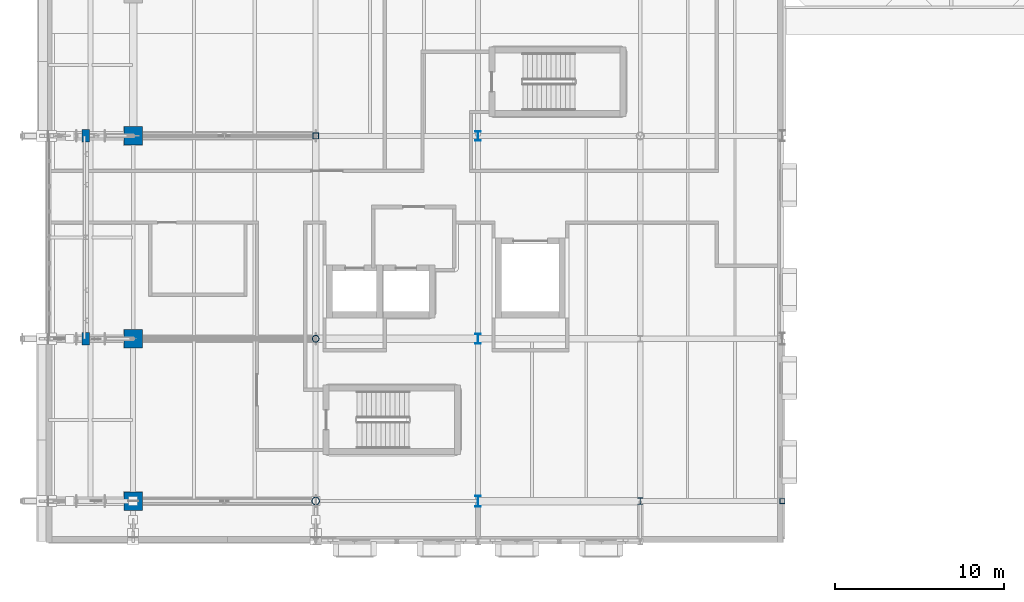
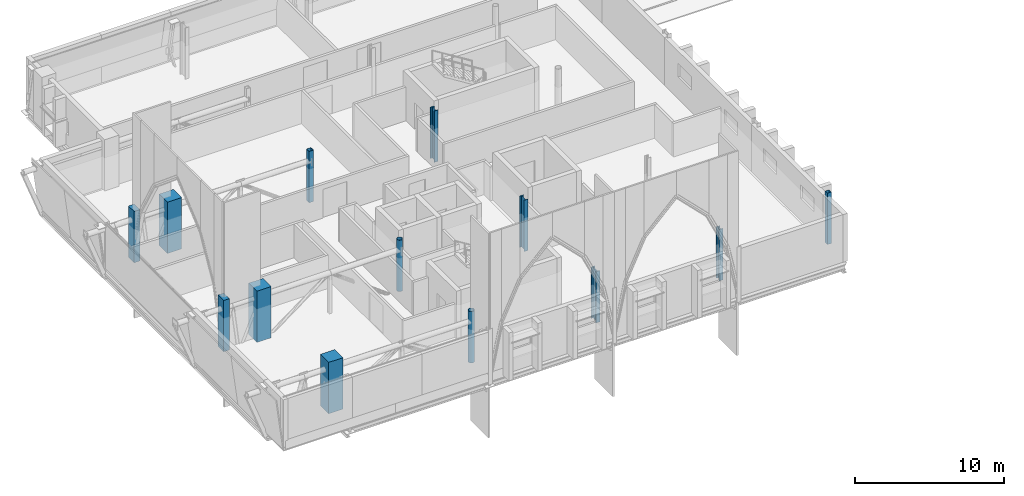
# One storey, part 1 of 90: 13 columns.
"""IFC4 building model written with IfcOpenShell, lengths in metres."""

from ifc_helpers import new_model, si_unit, direction, frame, origin, origin_2d, place, context, subcontext, project, spatial, rectangle, hollow_rectangle, hollow_circle, i_section, extrude, material, material_profile, profile_set, type_object, element, save


model = new_model("IFC4")

# Units and contexts
model_context = context("Model", 3, precision=1e-05, world=origin(), true_north=direction((0.0, 1.0)))
body_context = subcontext(model_context, "Body", "Model", "MODEL_VIEW")
ifc_project = project(units=[si_unit("LENGTHUNIT", "METRE"), si_unit("AREAUNIT", "SQUARE_METRE"), si_unit("VOLUMEUNIT", "CUBIC_METRE"), si_unit("PLANEANGLEUNIT", "RADIAN"), si_unit("MASSUNIT", "GRAM", prefix="KILO")], contexts=[model_context])

# Site, building, storey
site_placement = place(None, origin())
site = spatial("IfcSite", under=ifc_project, at=site_placement, CompositionType="ELEMENT")
building_placement = place(site_placement, origin())
building = spatial("IfcBuilding", under=site, at=building_placement, Name="Zereglee Splitstone Museum", CompositionType="ELEMENT")
storey_placement = place(building_placement, frame((0.0, 0.0, 4.800048828125)))
storey = spatial("IfcBuildingStorey", under=building, at=storey_placement, Name="L01", CompositionType="ELEMENT", Elevation=4.800048828125)

# Columns
ifc_material_1 = material(Name="Concrete C45/55", Category="concrete")
ifc_material_profile_1 = material_profile(ifc_material_1, rectangle(XDim=1.10009765625, YDim=1.10009765625, at=origin_2d()), Name="RC 1100x1100")
ifc_profile_set_1 = profile_set([ifc_material_profile_1], Name="Concrete C45/55")
column_type_1 = type_object("IfcColumnType", Name="C-01", PredefinedType="COLUMN", material=ifc_profile_set_1)
for number, where, z_axis, x_axis, name in (
    (1, (9.60009765625, 0.0, 0.0), (0.0, 0.0, 1.0), (1.0, 0.0, 0.0), "Column 2/A L01"),
    (2, (9.60009765625, 9.60009765625, 0.0), (0.0, 0.0, 1.0), (1.0, 0.0, 0.0), "Column 2/B L01"),
    (3, (9.60009765625, 21.60009765625, 0.0), (0.0, 0.0, 1.0), (1.0, 0.0, 0.0), "Column 2/C L01"),
):
    element("IfcColumn", number, at=place(storey_placement, frame(where, z_axis=z_axis, x_axis=x_axis)), inside=storey, type_object=column_type_1, Name=name, PredefinedType="COLUMN", context=body_context, shape_type="SweptSolid", body=[
        extrude(rectangle(XDim=1.10009765625, YDim=1.10009765625, at=origin_2d()), origin(), (0.0, 0.0, 1.0), 4.199951171875),
    ])
ifc_material_2 = material(Name="Steel S355J2H", Category="steel")
ifc_material_profile_2 = material_profile(ifc_material_2, hollow_circle(Radius=0.203125, WallThickness=0.02001953125, at=origin_2d()), Name="CHS 406.4x20")
ifc_profile_set_2 = profile_set([ifc_material_profile_2], Name="Steel S355J2H")
column_type_2 = type_object("IfcColumnType", Name="C-18", PredefinedType="COLUMN", material=ifc_profile_set_2)
column_1_placement = place(storey_placement, frame((20.39990234375, 9.60009765625, 0.0), z_axis=(0.0, 0.0, 1.0), x_axis=(1.0, 0.0, 0.0)))
element("IfcColumn", 4, at=column_1_placement, inside=storey, type_object=column_type_2, Name="Column 4/B L01", PredefinedType="COLUMN", context=body_context, shape_type="SweptSolid", body=[
    extrude(hollow_circle(Radius=0.203125, WallThickness=0.02001953125, at=origin_2d()), origin(), (0.0, 0.0, 1.0), 4.199951171875),
])
ifc_material_profile_3 = material_profile(ifc_material_2, hollow_circle(Radius=0.228515625, WallThickness=0.02001953125, at=origin_2d()), Name="CHS 457.0x20")
ifc_profile_set_3 = profile_set([ifc_material_profile_3], Name="Steel S355J2H")
column_type_3 = type_object("IfcColumnType", Name="C-17", PredefinedType="COLUMN", material=ifc_profile_set_3)
column_2_placement = place(storey_placement, frame((20.39990234375, 0.0, 0.0), z_axis=(0.0, 0.0, 1.0), x_axis=(1.0, 0.0, 0.0)))
element("IfcColumn", 5, at=column_2_placement, inside=storey, type_object=column_type_3, Name="Column 4/A L01", PredefinedType="COLUMN", context=body_context, shape_type="SweptSolid", body=[
    extrude(hollow_circle(Radius=0.228515625, WallThickness=0.02001953125, at=origin_2d()), origin(), (0.0, 0.0, 1.0), 4.199951171875),
])
ifc_material_3 = material(Name="Steel S355J2", Category="steel")
ifc_material_profile_4 = material_profile(ifc_material_3, i_section(OverallWidth=0.300048828125, OverallDepth=0.39990234375, WebThickness=0.013427734375, FlangeThickness=0.02392578125, FilletRadius=0.027099609375, at=origin_2d()), Name="HE 400 B")
ifc_profile_set_4 = profile_set([ifc_material_profile_4], Name="Steel S355J2")
column_type_4 = type_object("IfcColumnType", Name="C-15", PredefinedType="COLUMN", material=ifc_profile_set_4)
column_3_placement = place(storey_placement, frame((39.60009765625, 0.0, 0.0), z_axis=(0.0, 0.0, 1.0), x_axis=(1.0, 0.0, 0.0)))
element("IfcColumn", 6, at=column_3_placement, inside=storey, type_object=column_type_4, Name="Column 6/A L01", PredefinedType="COLUMN", context=body_context, shape_type="SweptSolid", body=[
    extrude(i_section(OverallWidth=0.300048828125, OverallDepth=0.39990234375, WebThickness=0.013427734375, FlangeThickness=0.02392578125, FilletRadius=0.027099609375, at=origin_2d()), origin(), (0.0, 0.0, 1.0), 4.199951171875),
])
ifc_material_profile_5 = material_profile(ifc_material_3, i_section(OverallWidth=0.300048828125, OverallDepth=0.550048828125, WebThickness=0.014892578125, FlangeThickness=0.029052734375, FilletRadius=0.027099609375, at=origin_2d()), Name="HE 550 B")
ifc_profile_set_5 = profile_set([ifc_material_profile_5], Name="Steel S355J2")
column_type_5 = type_object("IfcColumnType", Name="C-12", PredefinedType="COLUMN", material=ifc_profile_set_5)
column_4_placement = place(storey_placement, frame((30.0, 21.60009765625, 0.0), z_axis=(0.0, 0.0, 1.0), x_axis=(1.0, 0.0, 0.0)))
element("IfcColumn", 7, at=column_4_placement, inside=storey, type_object=column_type_5, Name="Column 5/C L01", PredefinedType="COLUMN", context=body_context, shape_type="SweptSolid", body=[
    extrude(i_section(OverallWidth=0.300048828125, OverallDepth=0.550048828125, WebThickness=0.014892578125, FlangeThickness=0.029052734375, FilletRadius=0.027099609375, at=origin_2d()), origin(), (0.0, 0.0, 1.0), 4.199951171875),
])
ifc_material_profile_6 = material_profile(ifc_material_3, i_section(OverallWidth=0.300048828125, OverallDepth=0.60009765625, WebThickness=0.015380859375, FlangeThickness=0.030029296875, FilletRadius=0.027099609375, at=origin_2d()), Name="HE 600 B")
ifc_profile_set_6 = profile_set([ifc_material_profile_6], Name="Steel S355J2")
column_type_6 = type_object("IfcColumnType", Name="C-11", PredefinedType="COLUMN", material=ifc_profile_set_6)
column_5_placement = place(storey_placement, frame((30.0, 9.60009765625, 0.0), z_axis=(0.0, 0.0, 1.0), x_axis=(1.0, 0.0, 0.0)))
element("IfcColumn", 8, at=column_5_placement, inside=storey, type_object=column_type_6, Name="Column 5/B L01", PredefinedType="COLUMN", context=body_context, shape_type="SweptSolid", body=[
    extrude(i_section(OverallWidth=0.300048828125, OverallDepth=0.60009765625, WebThickness=0.015380859375, FlangeThickness=0.030029296875, FilletRadius=0.027099609375, at=origin_2d()), origin(), (0.0, 0.0, 1.0), 4.199951171875),
])
ifc_material_profile_7 = material_profile(ifc_material_3, i_section(OverallWidth=0.300048828125, OverallDepth=0.64990234375, WebThickness=0.01611328125, FlangeThickness=0.031005859375, FilletRadius=0.027099609375, at=origin_2d()), Name="HE 650 B")
ifc_profile_set_7 = profile_set([ifc_material_profile_7], Name="Steel S355J2")
column_type_7 = type_object("IfcColumnType", Name="C-10", PredefinedType="COLUMN", material=ifc_profile_set_7)
column_6_placement = place(storey_placement, frame((30.0, 0.0, 0.0), z_axis=(0.0, 0.0, 1.0), x_axis=(1.0, 0.0, 0.0)))
element("IfcColumn", 9, at=column_6_placement, inside=storey, type_object=column_type_7, Name="Column 5/A L01", PredefinedType="COLUMN", context=body_context, shape_type="SweptSolid", body=[
    extrude(i_section(OverallWidth=0.300048828125, OverallDepth=0.64990234375, WebThickness=0.01611328125, FlangeThickness=0.031005859375, FilletRadius=0.027099609375, at=origin_2d()), origin(), (0.0, 0.0, 1.0), 4.199951171875),
])
ifc_material_profile_8 = material_profile(ifc_material_2, hollow_rectangle(XDim=0.300048828125, YDim=0.300048828125, WallThickness=0.01611328125, at=origin_2d()), Name="SHS 300x300x16")
ifc_profile_set_8 = profile_set([ifc_material_profile_8], Name="Steel S355J2H")
column_type_8 = type_object("IfcColumnType", Name="C-20", PredefinedType="COLUMN", material=ifc_profile_set_8)
column_7_placement = place(storey_placement, frame((48.0, 0.0, 0.0), z_axis=(0.0, 0.0, 1.0), x_axis=(1.0, 0.0, 0.0)))
element("IfcColumn", 10, at=column_7_placement, inside=storey, type_object=column_type_8, Name="Column 7/A L01", PredefinedType="COLUMN", context=body_context, shape_type="SweptSolid", body=[
    extrude(hollow_rectangle(XDim=0.300048828125, YDim=0.300048828125, WallThickness=0.01611328125, at=origin_2d()), origin(), (0.0, 0.0, 1.0), 4.199951171875),
])
ifc_material_profile_9 = material_profile(ifc_material_2, hollow_rectangle(XDim=0.35009765625, YDim=0.35009765625, WallThickness=0.01611328125, at=origin_2d()), Name="SHS 350x350x16")
ifc_profile_set_9 = profile_set([ifc_material_profile_9], Name="Steel S355J2H")
column_type_9 = type_object("IfcColumnType", Name="C-19", PredefinedType="COLUMN", material=ifc_profile_set_9)
column_8_placement = place(storey_placement, frame((20.39990234375, 21.60009765625, 0.0), z_axis=(0.0, 0.0, 1.0), x_axis=(1.0, 0.0, 0.0)))
element("IfcColumn", 11, at=column_8_placement, inside=storey, type_object=column_type_9, Name="Column 4/C L01", PredefinedType="COLUMN", context=body_context, shape_type="SweptSolid", body=[
    extrude(hollow_rectangle(XDim=0.35009765625, YDim=0.35009765625, WallThickness=0.01611328125, at=origin_2d()), origin(), (0.0, 0.0, 1.0), 4.199951171875),
])
ifc_material_profile_10 = material_profile(ifc_material_1, rectangle(XDim=0.449951171875, YDim=0.75, at=origin_2d()), Name="RC 450x750")
ifc_profile_set_10 = profile_set([ifc_material_profile_10], Name="Concrete C45/55")
column_type_10 = type_object("IfcColumnType", Name="CP-01", PredefinedType="PILASTER", material=ifc_profile_set_10)
for number, where, z_axis, x_axis, name in (
    (12, (6.800048828125, 9.60009765625, 0.0), (0.0, 0.0, 1.0), (1.0, 0.0, 0.0), "Mughal Guldasta Portal Pilaster G01 L01"),
    (13, (6.800048828125, 21.60009765625, 0.0), (0.0, 0.0, 1.0), (1.0, 0.0, 0.0), "Mughal Guldasta Portal Pilaster G02 L01"),
):
    element("IfcColumn", number, at=place(storey_placement, frame(where, z_axis=z_axis, x_axis=x_axis)), inside=storey, type_object=column_type_10, Name=name, PredefinedType="PILASTER", context=body_context, shape_type="SweptSolid", body=[
        extrude(rectangle(XDim=0.449951171875, YDim=0.75, at=origin_2d()), origin(), (0.0, 0.0, 1.0), 4.199951171875),
    ])

save(model, "model.ifc")
